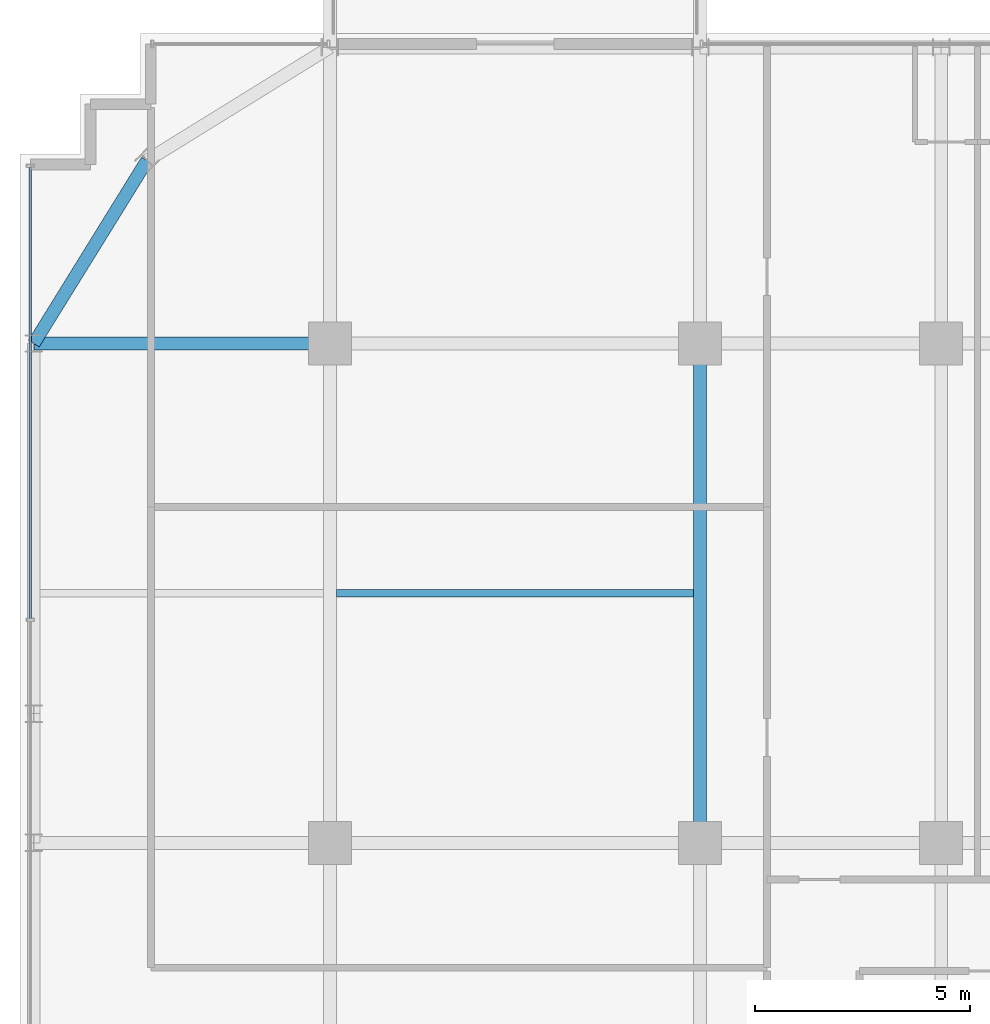
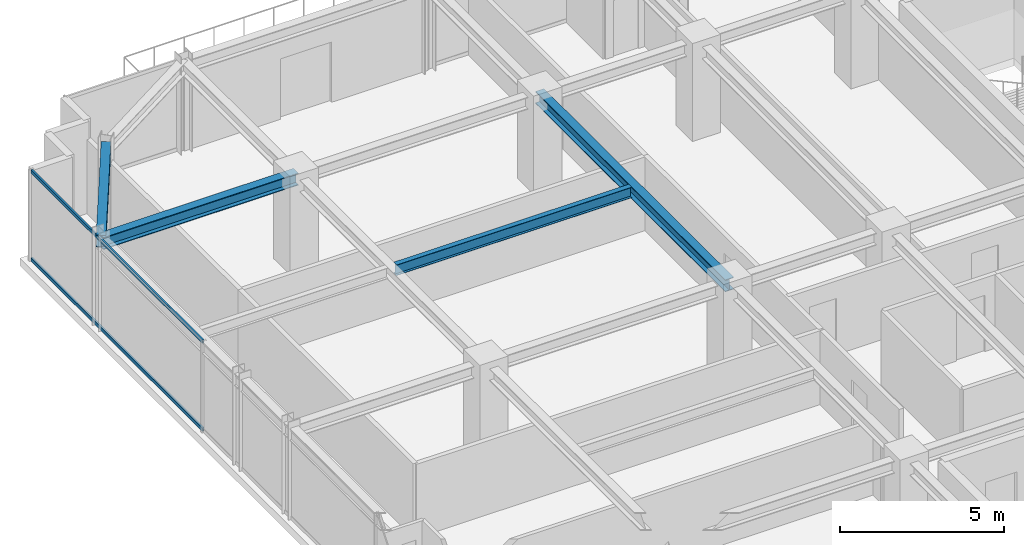
# One storey, part 19 of 36: 4 beams, 2 members, 1 element without a shape of its own.
"""IFC4 building model written with IfcOpenShell, lengths in metres."""

import ifcopenshell
import ifcopenshell.guid

model = None  # the IFC model being written
_history = None  # IfcOwnerHistory: only IFC2X3 demands one
_inside = {}  # id of a spatial element -> (the spatial element, [elements in it])
_under = {}  # id of a project, library or spatial element -> (it, [spatial elements below it])
_declared = {}  # id of a project -> (the project, [libraries it declares])
_typed = {}  # id of a type object -> (the type object, [elements of that type])
_made_of = {}  # id of a material, layer set ... -> (it, [elements and type objects made of it])


def new_model(schema):
    """Start an empty IFC model of exactly this schema.

    Asked for "IFC4X3", IfcOpenShell would pick the latest addendum, in which some entities
    have other attributes; the version numbers below select the first issue.
    IFC2X3 requires an IfcOwnerHistory on every rooted entity: one is made here for all.
    """
    global model, _history
    if schema == "IFC4X3":
        model = ifcopenshell.file(schema_version=(4, 3, 0, 0))
    else:
        model = ifcopenshell.file(schema=schema)
    _inside.clear()
    _under.clear()
    _declared.clear()
    _typed.clear()
    _made_of.clear()
    _history = None
    if model.schema == "IFC2X3":
        org = make("IfcOrganization", Name="unknown")
        user = make(
            "IfcPersonAndOrganization",
            ThePerson=make("IfcPerson", FamilyName="unknown"),
            TheOrganization=org,
        )
        app = make(
            "IfcApplication",
            ApplicationDeveloper=org,
            Version="unknown",
            ApplicationFullName="unknown",
            ApplicationIdentifier="unknown",
        )
        _history = make(
            "IfcOwnerHistory",
            OwningUser=user,
            OwningApplication=app,
            ChangeAction="ADDED",
            CreationDate=0,
        )
    return model


def make(cls, **values):
    """One entity of the class cls with the attributes given. An attribute that is None is left unset."""
    return model.create_entity(
        cls, **{name: value for name, value in values.items() if value is not None}
    )


def rooted(cls, **values):
    """An entity with a GlobalId (a new one), such as an element, a storey or a relation."""
    return make(cls, GlobalId=ifcopenshell.guid.new(), OwnerHistory=_history, **values)


def si_unit(unit_type, name, prefix=None):
    """IfcSIUnit, for example si_unit("LENGTHUNIT", "METRE", prefix="MILLI")."""
    return make("IfcSIUnit", UnitType=unit_type, Prefix=prefix, Name=name)


def assignment(units):
    """IfcUnitAssignment: the units of a project."""
    return None if units is None else make("IfcUnitAssignment", Units=units)


def point(xyz):
    """IfcCartesianPoint."""
    return None if xyz is None else make("IfcCartesianPoint", Coordinates=xyz)


def direction(xyz):
    """IfcDirection."""
    return None if xyz is None else make("IfcDirection", DirectionRatios=xyz)


def frame(location, z_axis=None, x_axis=None):
    """IfcAxis2Placement3D, a coordinate frame: its origin and axes. An axis left out is left unset."""
    return make(
        "IfcAxis2Placement3D",
        Location=point(location),
        Axis=direction(z_axis),
        RefDirection=direction(x_axis),
    )


def frame_2d(location, x_axis=None):
    """IfcAxis2Placement2D, a coordinate frame in the plane: its origin and x axis."""
    return make(
        "IfcAxis2Placement2D", Location=point(location), RefDirection=direction(x_axis)
    )


def origin():
    """The frame at (0, 0, 0) with its axes left unset."""
    return frame((0.0, 0.0, 0.0))


def origin_2d():
    """The frame at (0, 0) in the plane with its x axis left unset."""
    return frame_2d((0.0, 0.0))


def place(relative_to, where):
    """IfcLocalPlacement: puts the frame where relative to a parent placement (None: the world)."""
    return make(
        "IfcLocalPlacement", PlacementRelTo=relative_to, RelativePlacement=where
    )


def context(
    kind, dimensions, precision=None, world=None, true_north=None, identifier=None
):
    """IfcGeometricRepresentationContext, for example the 3D "Model" context."""
    return make(
        "IfcGeometricRepresentationContext",
        ContextIdentifier=identifier,
        ContextType=kind,
        CoordinateSpaceDimension=dimensions,
        Precision=precision,
        WorldCoordinateSystem=world,
        TrueNorth=true_north,
    )


def subcontext(parent, identifier, kind, view, scale=None):
    """IfcGeometricRepresentationSubContext, for example "Body" below "Model"."""
    return make(
        "IfcGeometricRepresentationSubContext",
        ContextIdentifier=identifier,
        ContextType=kind,
        ParentContext=parent,
        TargetScale=scale,
        TargetView=view,
    )


def project(units=None, contexts=None):
    """IfcProject with its units and contexts."""
    return rooted(
        "IfcProject",
        Name="project",
        RepresentationContexts=contexts,
        UnitsInContext=assignment(units),
    )


def spatial(cls, under=None, at=None, **own):
    """A site, building, storey or space (cls), placed at a placement, below another one or the project."""
    s = rooted(cls, ObjectPlacement=at, **own)
    if under is not None:
        _under.setdefault(under.id(), (under, []))[1].append(s)
    return s


def profile(cls, at=None, kind="AREA", **sizes):
    """A parametric profile (cls). Its sizes go by their IFC names, for example OverallWidth=200.0."""
    return make(cls, ProfileType=kind, Position=at, **sizes)


def hollow_rectangle(**sizes):
    """IfcRectangleHollowProfileDef."""
    return profile("IfcRectangleHollowProfileDef", **sizes)


def i_section(**sizes):
    """IfcIShapeProfileDef."""
    return profile("IfcIShapeProfileDef", **sizes)


def extrude(swept, where, along, depth):
    """IfcExtrudedAreaSolid: the profile swept, set in the frame where, extruded along a direction by depth."""
    return make(
        "IfcExtrudedAreaSolid",
        SweptArea=swept,
        Position=where,
        ExtrudedDirection=direction(along),
        Depth=depth,
    )


def shape(context_of_items, identifier, shape_type, items):
    """IfcShapeRepresentation: the items that make up one representation, for example the "Body"."""
    return make(
        "IfcShapeRepresentation",
        ContextOfItems=context_of_items,
        RepresentationIdentifier=identifier,
        RepresentationType=shape_type,
        Items=items,
    )


def source(mapping_origin, context_of_items, identifier, shape_type, items):
    """IfcRepresentationMap: a shape defined once, which mapped items show again and again."""
    return make(
        "IfcRepresentationMap",
        MappingOrigin=mapping_origin,
        MappedRepresentation=shape(context_of_items, identifier, shape_type, items),
    )


def transform(
    local_origin,
    x_axis=None,
    y_axis=None,
    z_axis=None,
    scale=None,
    scale2=None,
    scale3=None,
    uniform=True,
):
    """IfcCartesianTransformationOperator3D, or its non-uniform kind. x_axis, y_axis, z_axis: its Axis1, 2, 3."""
    if uniform:
        return make(
            "IfcCartesianTransformationOperator3D",
            Axis1=direction(x_axis),
            Axis2=direction(y_axis),
            LocalOrigin=point(local_origin),
            Scale=scale,
            Axis3=direction(z_axis),
        )
    return make(
        "IfcCartesianTransformationOperator3DnonUniform",
        Axis1=direction(x_axis),
        Axis2=direction(y_axis),
        LocalOrigin=point(local_origin),
        Scale=scale,
        Axis3=direction(z_axis),
        Scale2=scale2,
        Scale3=scale3,
    )


def mapped(mapping_source, mapping_target):
    """IfcMappedItem: shows the shape of a source again, moved by a transform."""
    return make(
        "IfcMappedItem", MappingSource=mapping_source, MappingTarget=mapping_target
    )


def material(Name=None, Category=None):
    """IfcMaterial."""
    return make("IfcMaterial", Name=Name, Category=Category)


def material_profile(
    of_material, cross_section, Name=None, Category=None, Priority=None
):
    """IfcMaterialProfile: a cross section and its material."""
    return make(
        "IfcMaterialProfile",
        Name=Name,
        Material=of_material,
        Profile=cross_section,
        Priority=Priority,
        Category=Category,
    )


def profile_set(profiles, Name=None, composite=None):
    """IfcMaterialProfileSet."""
    return make(
        "IfcMaterialProfileSet",
        Name=Name,
        MaterialProfiles=profiles,
        CompositeProfile=composite,
    )


def made_of(thing, what):
    """Note that an element or type object is made of a material, layer set ...; save() writes the relation."""
    if what is not None:
        _made_of.setdefault(what.id(), (what, []))[1].append(thing)
    return thing


def type_object(cls, material=None, **own):
    """A type object (cls), such as IfcWallType, which elements share."""
    return made_of(rooted(cls, **own), material)


def element(
    cls,
    number,
    at=None,
    inside=None,
    cuts=None,
    type_object=None,
    material=None,
    context=None,
    identifier="Body",
    shape_type=None,
    held_by="IfcProductDefinitionShape",
    body=None,
    shapes=None,
    **own,
):
    """One element of the class cls, such as IfcWall. Its Tag is "e" and its number.

    at: its placement. inside: the storey or other place that contains it. cuts: it is an
    opening in that element (IfcRelVoidsElement). A single representation is given by context,
    identifier, shape_type and body (its items); several are given by shapes. held_by: the class
    of the entity that holds the representations. save() writes the other relations.
    """
    e = rooted(cls, Tag="e%d" % number, ObjectPlacement=at, **own)
    if body is not None:
        shapes = [shape(context, identifier, shape_type, body)]
    if shapes is not None:
        e.Representation = make(held_by, Representations=shapes)
    if inside is not None:
        _inside.setdefault(inside.id(), (inside, []))[1].append(e)
    if cuts is not None:
        rooted(
            "IfcRelVoidsElement", RelatingBuildingElement=cuts, RelatedOpeningElement=e
        )
    if type_object is not None:
        _typed.setdefault(type_object.id(), (type_object, []))[1].append(e)
    return made_of(e, material)


def aggregate(whole, parts):
    """IfcRelAggregates: a whole, such as a stair, and the parts it consists of."""
    return rooted("IfcRelAggregates", RelatingObject=whole, RelatedObjects=parts)


def save(model, path):
    """Write the relations noted so far, then the file.

    IfcRelAggregates (storeys below a building ...), IfcRelContainedInSpatialStructure (elements
    in a storey), IfcRelDefinesByType, IfcRelAssociatesMaterial and IfcRelDeclares: one each for
    every whole, place, type object, material and project.
    """
    for whole, parts in _under.values():
        aggregate(whole, parts)
    for where, things in _inside.values():
        rooted(
            "IfcRelContainedInSpatialStructure",
            RelatedElements=things,
            RelatingStructure=where,
        )
    for kind, things in _typed.values():
        rooted("IfcRelDefinesByType", RelatedObjects=things, RelatingType=kind)
    for what, things in _made_of.values():
        rooted("IfcRelAssociatesMaterial", RelatedObjects=things, RelatingMaterial=what)
    for by, libraries in _declared.values():
        rooted("IfcRelDeclares", RelatingContext=by, RelatedDefinitions=libraries)
    model.write(path)


model = new_model("IFC4")

# Units and contexts
model_context = context("Model", 3, precision=1e-05, world=origin(), true_north=direction((0.0, 1.0)))
body_context = subcontext(model_context, "Body", "Model", "MODEL_VIEW")
ifc_project = project(units=[si_unit("LENGTHUNIT", "METRE"), si_unit("AREAUNIT", "SQUARE_METRE"), si_unit("VOLUMEUNIT", "CUBIC_METRE"), si_unit("PLANEANGLEUNIT", "RADIAN"), si_unit("MASSUNIT", "GRAM", prefix="KILO")], contexts=[model_context])

# Site, building, storey
site_placement = place(None, origin())
site = spatial("IfcSite", under=ifc_project, at=site_placement, CompositionType="ELEMENT")
building_placement = place(site_placement, origin())
building = spatial("IfcBuilding", under=site, at=building_placement, Name="Nahalor Promenade Grand Hotel", CompositionType="ELEMENT")
storey_placement = place(building_placement, frame((0.0, 0.0, 219.699951171875)))
storey = spatial("IfcBuildingStorey", under=building, at=storey_placement, Name="L56", CompositionType="ELEMENT", Elevation=219.699951171875)

# Beams
ifc_material_1 = material(Name="Steel S355JR", Category="steel")
ifc_material_profile_1 = material_profile(ifc_material_1, i_section(OverallWidth=0.3, OverallDepth=0.45, WebThickness=0.014, FlangeThickness=0.026, at=origin_2d()), Name="HEB 450")
ifc_profile_set_1 = profile_set([ifc_material_profile_1], Name="Steel S355JR")
beam_type_1 = type_object("IfcBeamType", Name="Beam-Spandrel-HEB450", PredefinedType="SPANDREL", material=ifc_profile_set_1)
shared_shape_1 = source(origin(), body_context, "Body", "SweptSolid", [
    extrude(i_section(OverallWidth=0.3, OverallDepth=0.45, WebThickness=0.014, FlangeThickness=0.026, at=origin_2d()), origin(), (0.0, 0.0, 1.0), 4.997802734375),
])
beam_1_placement = place(storey_placement, frame((-21.25, 21.25, 3.18505859375), z_axis=(-0.526199891161, -0.850360908404, 0.0), x_axis=(0.850360908404, -0.526199891161, 0.0)))
element("IfcBeam", 1, at=beam_1_placement, inside=storey, type_object=beam_type_1, Name="BM-L56-SPC-NW-2", PredefinedType="SPANDREL", context=body_context, shape_type="MappedRepresentation", body=[
    mapped(shared_shape_1, transform((0.0, 0.0, 0.0), scale=1.0)),
])
ifc_material_profile_2 = material_profile(ifc_material_1, i_section(OverallWidth=0.3, OverallDepth=0.45, WebThickness=0.014, FlangeThickness=0.026, at=origin_2d()), Name="HEB 450")
ifc_profile_set_2 = profile_set([ifc_material_profile_2], Name="Steel S355JR")
beam_type_2 = type_object("IfcBeamType", Name="Beam-Girder-HEB450", PredefinedType="BEAM", material=ifc_profile_set_2)
shared_shape_2 = source(origin(), body_context, "Body", "SweptSolid", [
    extrude(i_section(OverallWidth=0.3, OverallDepth=0.45, WebThickness=0.014, FlangeThickness=0.026, at=origin_2d()), origin(), (0.0, 0.0, 1.0), 6.8798828125),
])
beam_2_placement = place(storey_placement, frame((-23.8798828125, 17.0, 3.18505859375), z_axis=(1.0, 0.0, 0.0), x_axis=(0.0, 1.0, 0.0)))
element("IfcBeam", 2, at=beam_2_placement, inside=storey, type_object=beam_type_2, Name="BM-L56-GX-3-0", PredefinedType="BEAM", context=body_context, shape_type="MappedRepresentation", body=[
    mapped(shared_shape_2, transform((0.0, 0.0, 0.0), scale=1.0)),
])
shared_shape_3 = source(origin(), body_context, "Body", "SweptSolid", [
    extrude(i_section(OverallWidth=0.3, OverallDepth=0.45, WebThickness=0.014, FlangeThickness=0.026, at=origin_2d()), origin(), (0.0, 0.0, 1.0), 11.60009765625),
])
beam_3_placement = place(storey_placement, frame((-8.39990234375, 5.39990234375, 3.18505859375), z_axis=(0.0, 1.0, 0.0), x_axis=(-1.0, 0.0, 0.0)))
element("IfcBeam", 3, at=beam_3_placement, inside=storey, type_object=beam_type_2, Name="BM-L56-GY-1-3", PredefinedType="BEAM", context=body_context, shape_type="MappedRepresentation", body=[
    mapped(shared_shape_3, transform((0.0, 0.0, 0.0), scale=1.0)),
])
ifc_material_profile_3 = material_profile(ifc_material_1, i_section(OverallWidth=0.18, OverallDepth=0.4, WebThickness=0.0086, FlangeThickness=0.0135, at=origin_2d()), Name="IPE 400")
ifc_profile_set_3 = profile_set([ifc_material_profile_3], Name="Steel S355JR")
beam_type_3 = type_object("IfcBeamType", Name="Beam-Joist-IPE400", PredefinedType="JOIST", material=ifc_profile_set_3)
shared_shape_4 = source(origin(), body_context, "Body", "SweptSolid", [
    extrude(i_section(OverallWidth=0.18, OverallDepth=0.4, WebThickness=0.0086, FlangeThickness=0.0135, at=origin_2d()), origin(), (0.0, 0.0, 1.0), 8.300048828125),
])
beam_4_placement = place(storey_placement, frame((-16.85009765625, 11.199951171875, 3.2099609375), z_axis=(1.0, 0.0, 0.0), x_axis=(0.0, 1.0, 0.0)))
element("IfcBeam", 4, at=beam_4_placement, inside=storey, type_object=beam_type_3, Name="BM-L56-JSW-1-1", PredefinedType="JOIST", context=body_context, shape_type="MappedRepresentation", body=[
    mapped(shared_shape_4, transform((0.0, 0.0, 0.0), scale=1.0)),
])

# Curtain wall, members
ifc_material_2 = material(Name="Anodised Bronze Aluminium EN AW-6063 T6", Category="aluminium")
curtain_wall_type = type_object("IfcCurtainWallType", Name="CW2 Typical Hotel Flush Bronze Unitised Curtain Wall", PredefinedType="USERDEFINED", material=ifc_material_2)
curtain_wall_placement = place(storey_placement, origin())
curtain_wall = element("IfcCurtainWall", 5, at=curtain_wall_placement, inside=storey, type_object=curtain_wall_type, Name="L56 Curtain Wall CW-L56-W-1", ObjectType="UNITISED_CURTAIN_WALL", PredefinedType="USERDEFINED")
ifc_material_profile_4 = material_profile(ifc_material_2, hollow_rectangle(XDim=0.065, YDim=0.13, WallThickness=0.004, at=origin_2d()), Name="CWT 65x130x4")
ifc_profile_set_4 = profile_set([ifc_material_profile_4], Name="Anodised Bronze Aluminium EN AW-6063 T6")
member_type = type_object("IfcMemberType", Name="CWT2 Typical Bronze Transom 65x130", PredefinedType="USERDEFINED", material=ifc_profile_set_4)
shared_shape_5 = source(origin(), body_context, "Body", "SweptSolid", [
    extrude(hollow_rectangle(XDim=0.065, YDim=0.13, WallThickness=0.004, at=origin_2d()), origin(), (0.0, 0.0, 1.0), 10.482421875),
])
member_1_placement = place(storey_placement, frame((-23.9599609375, 10.612548828125, 0.06494140625), z_axis=(0.0, 1.0, 0.0), x_axis=(-1.0, 0.0, 0.0)))
member_1 = element("IfcMember", 6, at=member_1_placement, type_object=member_type, Name="CW-L56-W-1 Transom 3-0", ObjectType="TRANSOM", PredefinedType="USERDEFINED", context=body_context, shape_type="MappedRepresentation", body=[
    mapped(shared_shape_5, transform((0.0, 0.0, 0.0), scale=1.0)),
])
member_2_placement = place(storey_placement, frame((-23.9599609375, 10.612548828125, 3.344970703125), z_axis=(0.0, 1.0, 0.0), x_axis=(-1.0, 0.0, 0.0)))
member_2 = element("IfcMember", 7, at=member_2_placement, type_object=member_type, Name="CW-L56-W-1 Transom 3-1", ObjectType="TRANSOM", PredefinedType="USERDEFINED", context=body_context, shape_type="MappedRepresentation", body=[
    mapped(shared_shape_5, transform((0.0, 0.0, 0.0), scale=1.0)),
])
aggregate(curtain_wall, [member_1, member_2])

save(model, "model.ifc")
